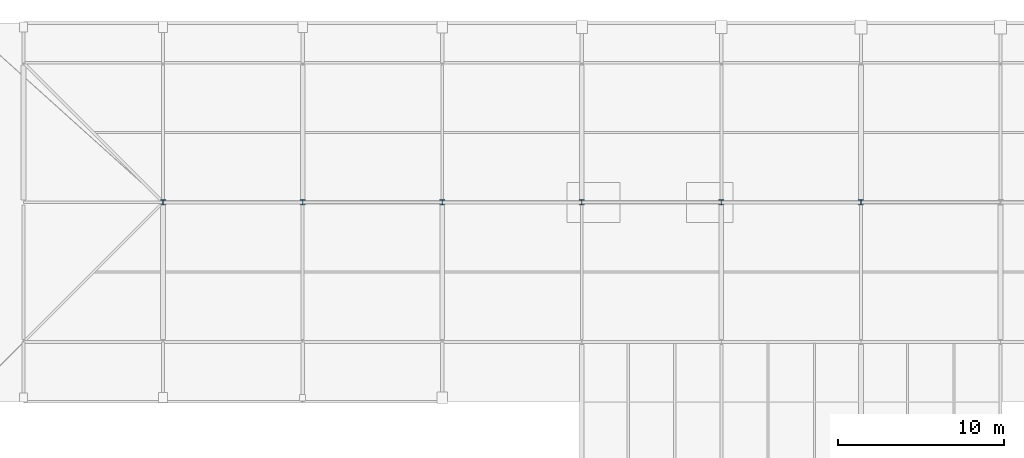
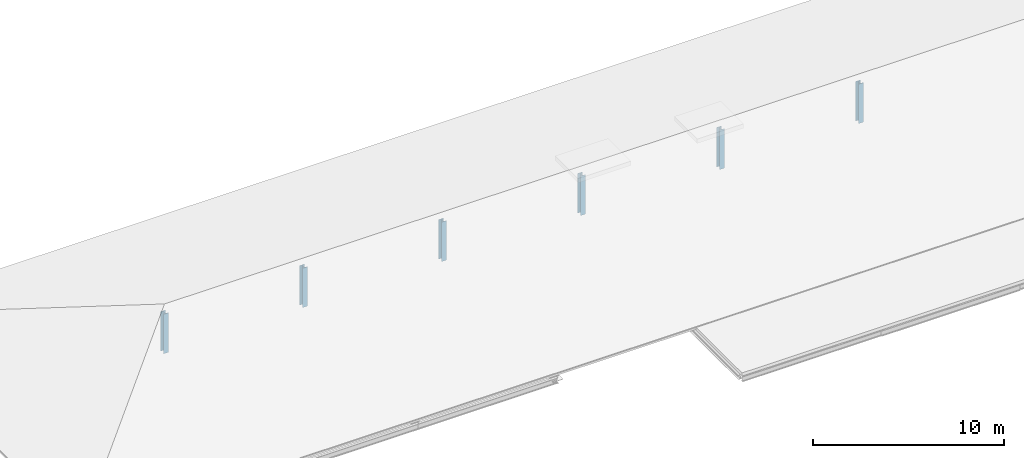
# One storey, part 1 of 5: 6 columns.
"""IFC4 building model written with IfcOpenShell, lengths in metres."""

from ifc_helpers import new_model, si_unit, direction, frame, origin, origin_2d, place, context, subcontext, project, spatial, i_section, extrude, material, material_profile, profile_set, type_object, element, save


model = new_model("IFC4")

# Units and contexts
model_context = context("Model", 3, precision=1e-05, world=origin(), true_north=direction((0.0, 1.0)))
body_context = subcontext(model_context, "Body", "Model", "MODEL_VIEW")
ifc_project = project(units=[si_unit("LENGTHUNIT", "METRE"), si_unit("AREAUNIT", "SQUARE_METRE"), si_unit("VOLUMEUNIT", "CUBIC_METRE"), si_unit("PLANEANGLEUNIT", "RADIAN"), si_unit("MASSUNIT", "GRAM", prefix="KILO")], contexts=[model_context])

# Site, building, storey
site_placement = place(None, origin())
site = spatial("IfcSite", under=ifc_project, at=site_placement, CompositionType="ELEMENT")
building_placement = place(site_placement, origin())
building = spatial("IfcBuilding", under=site, at=building_placement, Name="Mersafa Astral City Hall", CompositionType="ELEMENT")
storey_placement = place(building_placement, frame((0.0, 0.0, 34.35009765625)))
storey = spatial("IfcBuildingStorey", under=building, at=storey_placement, Name="RF", CompositionType="ELEMENT", Elevation=34.35009765625)

# Columns
ifc_material = material(Name="Steel S355", Category="steel")
ifc_material_profile = material_profile(ifc_material, i_section(OverallWidth=0.300048828125, OverallDepth=0.300048828125, WebThickness=0.010986328125, FlangeThickness=0.01904296875, FilletRadius=0.027099609375, at=origin_2d()), Name="HEB 300")
ifc_profile_set = profile_set([ifc_material_profile], Name="Steel S355")
column_type = type_object("IfcColumnType", Name="STR-COL-HEB300", PredefinedType="COLUMN", material=ifc_profile_set)
for number, where, z_axis, x_axis, name in (
    (1, (117.60009765625, 117.60009765625, 0.0), (0.0, 0.0, 1.0), (1.0, 0.0, 0.0), "RF Roof ridge king-post column ROOF-T6-V6-1"),
    (2, (126.0, 117.60009765625, 0.0), (0.0, 0.0, 1.0), (1.0, 0.0, 0.0), "RF Roof ridge king-post column ROOF-T6-V6-2"),
    (3, (134.39990234375, 117.60009765625, 0.0), (0.0, 0.0, 1.0), (1.0, 0.0, 0.0), "RF Roof ridge king-post column ROOF-T6-V6-3"),
    (4, (142.800048828125, 117.60009765625, 0.0), (0.0, 0.0, 1.0), (1.0, 0.0, 0.0), "RF Roof ridge king-post column ROOF-T6-V6-4"),
    (5, (151.199951171875, 117.60009765625, 0.0), (0.0, 0.0, 1.0), (1.0, 0.0, 0.0), "RF Roof ridge king-post column ROOF-T6-V6-5"),
    (6, (159.60009765625, 117.60009765625, 0.0), (0.0, 0.0, 1.0), (1.0, 0.0, 0.0), "RF Roof ridge king-post column ROOF-T6-V6-6"),
):
    element("IfcColumn", number, at=place(storey_placement, frame(where, z_axis=z_axis, x_axis=x_axis)), inside=storey, type_object=column_type, Name=name, PredefinedType="COLUMN", context=body_context, shape_type="SweptSolid", body=[
        extrude(i_section(OverallWidth=0.300048828125, OverallDepth=0.300048828125, WebThickness=0.010986328125, FlangeThickness=0.01904296875, FilletRadius=0.027099609375, at=origin_2d()), origin(), (0.0, 0.0, 1.0), 2.521728515625),
    ])

save(model, "model.ifc")
